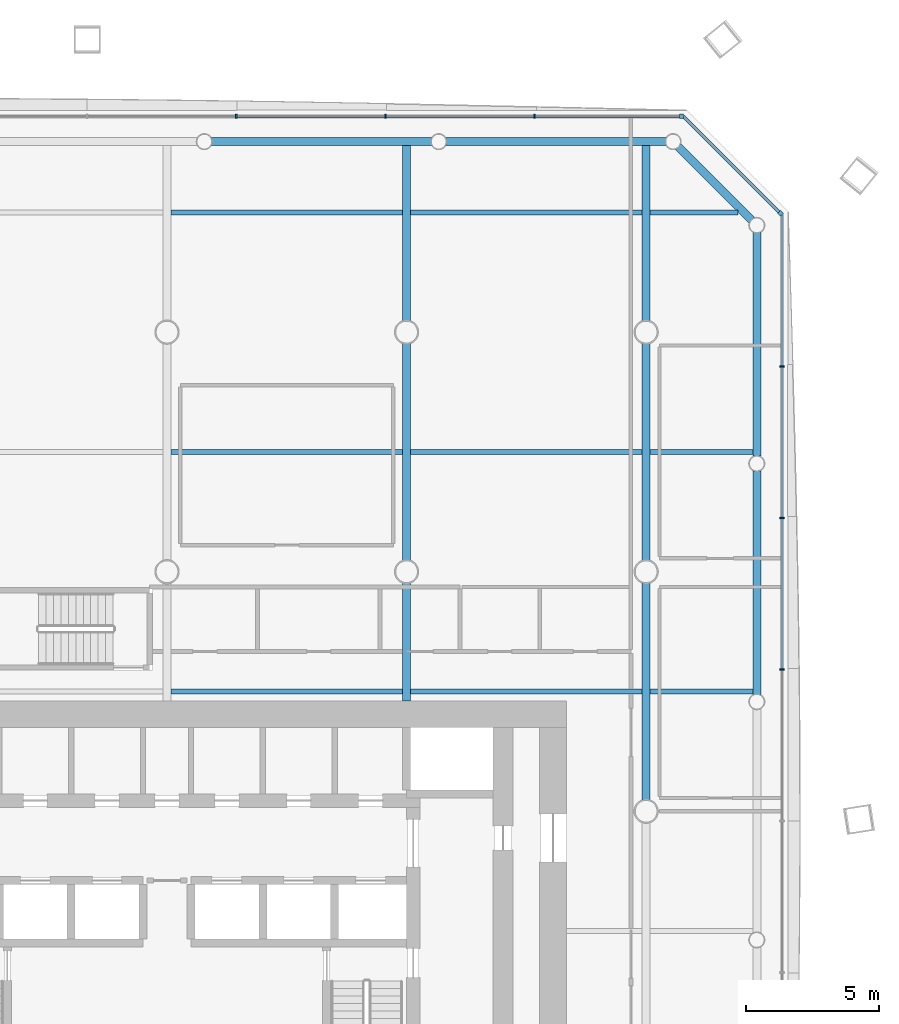
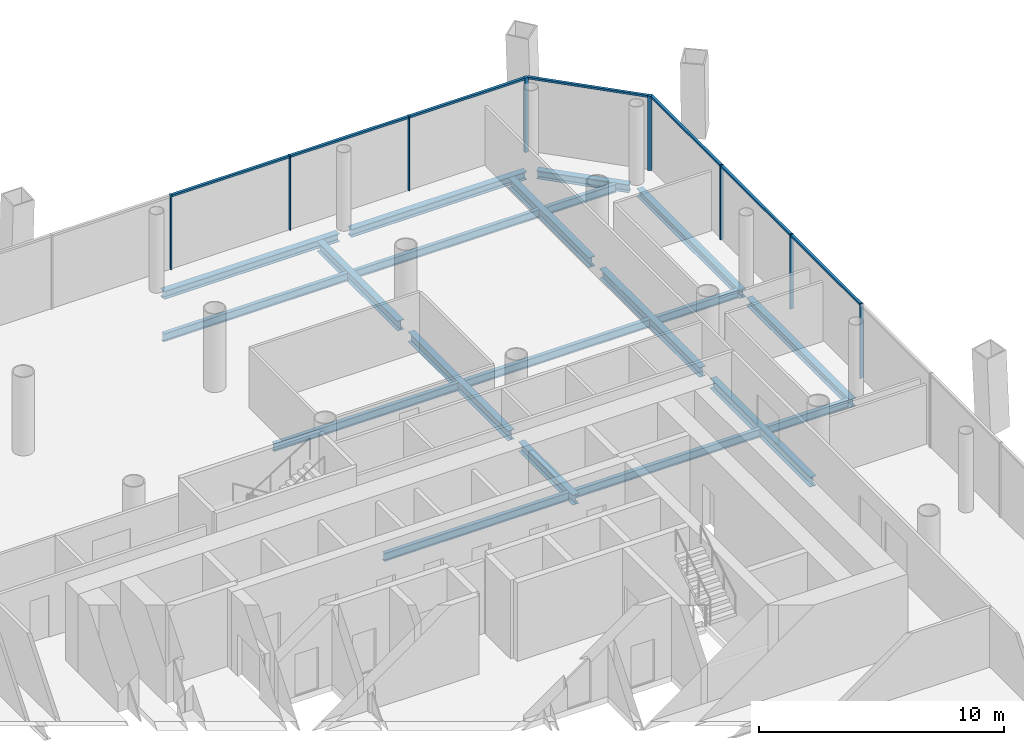
# One storey, part 10 of 20: 20 beams, 15 members, 3 elements without a shape of their own.
"""IFC4 building model written with IfcOpenShell, lengths in metres."""

from ifc_helpers import new_model, si_unit, direction, frame, origin, origin_2d, place, context, subcontext, project, spatial, rectangle, i_section, extrude, material, material_profile, profile_set, type_object, element, aggregate, save


model = new_model("IFC4")

# Units and contexts
model_context = context("Model", 3, precision=1e-05, world=origin(), true_north=direction((0.0, 1.0)))
body_context = subcontext(model_context, "Body", "Model", "MODEL_VIEW")
ifc_project = project(units=[si_unit("LENGTHUNIT", "METRE"), si_unit("AREAUNIT", "SQUARE_METRE"), si_unit("VOLUMEUNIT", "CUBIC_METRE"), si_unit("PLANEANGLEUNIT", "RADIAN"), si_unit("MASSUNIT", "GRAM", prefix="KILO")], contexts=[model_context])

# Site, building, storey
site_placement = place(None, origin())
site = spatial("IfcSite", under=ifc_project, at=site_placement, CompositionType="ELEMENT")
building_placement = place(site_placement, origin())
building = spatial("IfcBuilding", under=site, at=building_placement, Name="Tskaro Facet Tower", CompositionType="ELEMENT")
storey_placement = place(building_placement, frame((0.0, 0.0, 49.800048828125)))
storey = spatial("IfcBuildingStorey", under=building, at=storey_placement, Name="L11", CompositionType="ELEMENT", Elevation=49.800048828125)

# Curtain wall, member
ifc_material_1 = material(Name="Bronze anodised aluminium 6063-T6", Category="aluminium")
curtain_wall_type = type_object("IfcCurtainWallType", Name="Bronze office curtain wall (FW1)", PredefinedType="NOTDEFINED", material=ifc_material_1)
curtain_wall_1_placement = place(storey_placement, origin())
curtain_wall_1 = element("IfcCurtainWall", 1, at=curtain_wall_1_placement, inside=storey, type_object=curtain_wall_type, Name="FW1 north-east facet L11", PredefinedType="NOTDEFINED")
ifc_material_profile_1 = material_profile(ifc_material_1, rectangle(XDim=0.159912109375, YDim=0.159912109375, at=origin_2d()), Name="Corner post 160x160")
ifc_profile_set_1 = profile_set([ifc_material_profile_1], Name="Bronze anodised aluminium 6063-T6")
member_type_1 = type_object("IfcMemberType", Name="FW1 bronze corner post 160x160", PredefinedType="MULLION", material=ifc_profile_set_1)
member_1_placement = place(storey_placement, frame((23.050537109375, 22.461669921875, 0.0), z_axis=(0.0, 0.0, 1.0), x_axis=(-0.707106781187, 0.707106781187, 0.0)))
member_1 = element("IfcMember", 2, at=member_1_placement, type_object=member_type_1, Name="FW1 north-east corner post", PredefinedType="MULLION", context=body_context, shape_type="SweptSolid", body=[
    extrude(rectangle(XDim=0.159912109375, YDim=0.159912109375, at=origin_2d()), origin(), (0.0, 0.0, 1.0), 3.699951171875),
])

curtain_wall_2_placement = place(storey_placement, origin())
curtain_wall_2 = element("IfcCurtainWall", 3, at=curtain_wall_2_placement, inside=storey, type_object=curtain_wall_type, Name="FW1 north facet L11", PredefinedType="NOTDEFINED")
member_2_placement = place(storey_placement, frame((19.324951171875, 26.10693359375, 0.0), z_axis=(0.0, 0.0, 1.0), x_axis=(-1.0, 0.0, 0.0)))
member_2 = element("IfcMember", 4, at=member_2_placement, type_object=member_type_1, Name="FW1 north corner post", PredefinedType="MULLION", context=body_context, shape_type="SweptSolid", body=[
    extrude(rectangle(XDim=0.159912109375, YDim=0.159912109375, at=origin_2d()), origin(), (0.0, 0.0, 1.0), 3.699951171875),
])

# Curtain wall, members
curtain_wall_3_placement = place(storey_placement, origin())
curtain_wall_3 = element("IfcCurtainWall", 5, at=curtain_wall_3_placement, inside=storey, type_object=curtain_wall_type, Name="FW1 east facet L11", PredefinedType="NOTDEFINED")
ifc_material_profile_2 = material_profile(ifc_material_1, rectangle(XDim=0.06005859375, YDim=0.159912109375, at=origin_2d()), Name="Mullion 60x160")
ifc_profile_set_2 = profile_set([ifc_material_profile_2], Name="Bronze anodised aluminium 6063-T6")
member_type_2 = type_object("IfcMemberType", Name="FW1 bronze mullion 60x160", PredefinedType="MULLION", material=ifc_profile_set_2)
member_3_placement = place(storey_placement, frame((23.10693359375, 5.332275390625, 0.0), z_axis=(0.0, 0.0, 1.0), x_axis=(0.0, 1.0, 0.0)))
member_3 = element("IfcMember", 6, at=member_3_placement, type_object=member_type_2, Name="FW1 east mullion 5", PredefinedType="MULLION", context=body_context, shape_type="SweptSolid", body=[
    extrude(rectangle(XDim=0.06005859375, YDim=0.159912109375, at=origin_2d()), origin(), (0.0, 0.0, 1.0), 3.699951171875),
])
member_4_placement = place(storey_placement, frame((23.10693359375, 11.023193359375, 0.0), z_axis=(0.0, 0.0, 1.0), x_axis=(0.0, 1.0, 0.0)))
member_4 = element("IfcMember", 7, at=member_4_placement, type_object=member_type_2, Name="FW1 east mullion 6", PredefinedType="MULLION", context=body_context, shape_type="SweptSolid", body=[
    extrude(rectangle(XDim=0.06005859375, YDim=0.159912109375, at=origin_2d()), origin(), (0.0, 0.0, 1.0), 3.699951171875),
])
member_5_placement = place(storey_placement, frame((23.10693359375, 16.714111328125, 0.0), z_axis=(0.0, 0.0, 1.0), x_axis=(0.0, 1.0, 0.0)))
member_5 = element("IfcMember", 8, at=member_5_placement, type_object=member_type_2, Name="FW1 east mullion 7", PredefinedType="MULLION", context=body_context, shape_type="SweptSolid", body=[
    extrude(rectangle(XDim=0.06005859375, YDim=0.159912109375, at=origin_2d()), origin(), (0.0, 0.0, 1.0), 3.699951171875),
])

# Member
member_6_placement = place(storey_placement, frame((13.8037109375, 26.10693359375, 0.0), z_axis=(0.0, 0.0, 1.0), x_axis=(-1.0, 0.0, 0.0)))
member_6 = element("IfcMember", 9, at=member_6_placement, type_object=member_type_2, Name="FW1 north mullion 1", PredefinedType="MULLION", context=body_context, shape_type="SweptSolid", body=[
    extrude(rectangle(XDim=0.06005859375, YDim=0.159912109375, at=origin_2d()), origin(), (0.0, 0.0, 1.0), 3.699951171875),
])

member_7_placement = place(storey_placement, frame((8.202392578125, 26.10693359375, 0.0), z_axis=(0.0, 0.0, 1.0), x_axis=(-1.0, 0.0, 0.0)))
member_7 = element("IfcMember", 10, at=member_7_placement, type_object=member_type_2, Name="FW1 north mullion 2", PredefinedType="MULLION", context=body_context, shape_type="SweptSolid", body=[
    extrude(rectangle(XDim=0.06005859375, YDim=0.159912109375, at=origin_2d()), origin(), (0.0, 0.0, 1.0), 3.699951171875),
])

member_8_placement = place(storey_placement, frame((2.601318359375, 26.10693359375, 0.0), z_axis=(0.0, 0.0, 1.0), x_axis=(-1.0, 0.0, 0.0)))
member_8 = element("IfcMember", 11, at=member_8_placement, type_object=member_type_2, Name="FW1 north mullion 3", PredefinedType="MULLION", context=body_context, shape_type="SweptSolid", body=[
    extrude(rectangle(XDim=0.06005859375, YDim=0.159912109375, at=origin_2d()), origin(), (0.0, 0.0, 1.0), 3.699951171875),
])

ifc_material_profile_3 = material_profile(ifc_material_1, rectangle(XDim=0.1201171875, YDim=0.10009765625, at=origin_2d()), Name="Transom 120x100")
ifc_profile_set_3 = profile_set([ifc_material_profile_3], Name="Bronze anodised aluminium 6063-T6")
member_type_3 = type_object("IfcMemberType", Name="FW1 bronze transom 120x100", PredefinedType="USERDEFINED", material=ifc_profile_set_3)
member_9_placement = place(storey_placement, frame((23.10693359375, 5.3623046875, 3.64990234375), z_axis=(0.0, 1.0, 0.0), x_axis=(-1.0, 0.0, 0.0)))
member_9 = element("IfcMember", 12, at=member_9_placement, type_object=member_type_3, Name="FW1 east transom 6.1", ObjectType="TRANSOM", PredefinedType="USERDEFINED", context=body_context, shape_type="SweptSolid", body=[
    extrude(rectangle(XDim=0.1201171875, YDim=0.10009765625, at=origin_2d()), origin(), (0.0, 0.0, 1.0), 5.630859375),
])

member_10_placement = place(storey_placement, frame((23.10693359375, 11.05322265625, 3.64990234375), z_axis=(0.0, 1.0, 0.0), x_axis=(-1.0, 0.0, 0.0)))
member_10 = element("IfcMember", 13, at=member_10_placement, type_object=member_type_3, Name="FW1 east transom 7.1", ObjectType="TRANSOM", PredefinedType="USERDEFINED", context=body_context, shape_type="SweptSolid", body=[
    extrude(rectangle(XDim=0.1201171875, YDim=0.10009765625, at=origin_2d()), origin(), (0.0, 0.0, 1.0), 5.630859375),
])

member_11_placement = place(storey_placement, frame((23.10693359375, 16.744140625, 3.64990234375), z_axis=(0.0, 1.0, 0.0), x_axis=(-1.0, 0.0, 0.0)))
member_11 = element("IfcMember", 14, at=member_11_placement, type_object=member_type_3, Name="FW1 east transom 8.1", ObjectType="TRANSOM", PredefinedType="USERDEFINED", context=body_context, shape_type="SweptSolid", body=[
    extrude(rectangle(XDim=0.1201171875, YDim=0.10009765625, at=origin_2d()), origin(), (0.0, 0.0, 1.0), 5.660888671875),
])

aggregate(curtain_wall_3, [member_3, member_4, member_5, member_9, member_10, member_11])

member_12_placement = place(storey_placement, frame((22.993896484375, 22.51806640625, 3.64990234375), z_axis=(-0.707106781187, 0.707106781187, 0.0), x_axis=(-0.707106781187, -0.707106781187, 0.0)))
member_12 = element("IfcMember", 15, at=member_12_placement, type_object=member_type_3, Name="FW1 north-east transom 1.1", ObjectType="TRANSOM", PredefinedType="USERDEFINED", context=body_context, shape_type="SweptSolid", body=[
    extrude(rectangle(XDim=0.1201171875, YDim=0.10009765625, at=origin_2d()), origin(), (0.0, 0.0, 1.0), 5.075439453125),
])

aggregate(curtain_wall_1, [member_1, member_12])

member_13_placement = place(storey_placement, frame((19.2451171875, 26.10693359375, 3.64990234375), z_axis=(-1.0, 0.0, 0.0), x_axis=(0.0, -1.0, 0.0)))
member_13 = element("IfcMember", 16, at=member_13_placement, type_object=member_type_3, Name="FW1 north transom 1.1", ObjectType="TRANSOM", PredefinedType="USERDEFINED", context=body_context, shape_type="SweptSolid", body=[
    extrude(rectangle(XDim=0.1201171875, YDim=0.10009765625, at=origin_2d()), origin(), (0.0, 0.0, 1.0), 5.411376953125),
])

member_14_placement = place(storey_placement, frame((13.773681640625, 26.10693359375, 3.64990234375), z_axis=(-1.0, 0.0, 0.0), x_axis=(0.0, -1.0, 0.0)))
member_14 = element("IfcMember", 17, at=member_14_placement, type_object=member_type_3, Name="FW1 north transom 2.1", ObjectType="TRANSOM", PredefinedType="USERDEFINED", context=body_context, shape_type="SweptSolid", body=[
    extrude(rectangle(XDim=0.1201171875, YDim=0.10009765625, at=origin_2d()), origin(), (0.0, 0.0, 1.0), 5.541259765625),
])

member_15_placement = place(storey_placement, frame((8.172607421875, 26.10693359375, 3.64990234375), z_axis=(-1.0, 0.0, 0.0), x_axis=(0.0, -1.0, 0.0)))
member_15 = element("IfcMember", 18, at=member_15_placement, type_object=member_type_3, Name="FW1 north transom 3.1", ObjectType="TRANSOM", PredefinedType="USERDEFINED", context=body_context, shape_type="SweptSolid", body=[
    extrude(rectangle(XDim=0.1201171875, YDim=0.10009765625, at=origin_2d()), origin(), (0.0, 0.0, 1.0), 5.541259765625),
])

aggregate(curtain_wall_2, [member_2, member_6, member_7, member_8, member_13, member_14, member_15])

# Beams
ifc_material_2 = material(Name="Steel S355J2", Category="steel")
ifc_material_profile_4 = material_profile(ifc_material_2, i_section(OverallWidth=0.300048828125, OverallDepth=0.39990234375, WebThickness=0.013427734375, FlangeThickness=0.02392578125, FilletRadius=0.027099609375, at=origin_2d()), Name="HE 400 B")
ifc_profile_set_4 = profile_set([ifc_material_profile_4], Name="Steel S355J2")
beam_type_1 = type_object("IfcBeamType", Name="HE 400 B ring beam", PredefinedType="BEAM", material=ifc_profile_set_4)
for number, where, z_axis, x_axis, name in (
    (19, (22.156982421875, 4.39111328125, -0.340087890625), (0.0, 1.0, 0.0), (-1.0, 0.0, 0.0), "HE 400 B EB11-1"),
    (20, (22.156982421875, 13.339111328125, -0.340087890625), (0.0, 1.0, 0.0), (-1.0, 0.0, 0.0), "HE 400 B EB12-1"),
):
    element("IfcBeam", number, at=place(storey_placement, frame(where, z_axis=z_axis, x_axis=x_axis)), inside=storey, type_object=beam_type_1, Name=name, PredefinedType="BEAM", context=body_context, shape_type="SweptSolid", body=[
        extrude(i_section(OverallWidth=0.300048828125, OverallDepth=0.39990234375, WebThickness=0.013427734375, FlangeThickness=0.02392578125, FilletRadius=0.027099609375, at=origin_2d()), origin(), (0.0, 0.0, 1.0), 8.39794921875),
    ])
beam_1_placement = place(storey_placement, frame((21.962646484375, 22.20654296875, -0.340087890625), z_axis=(-0.707106781187, 0.707106781187, 0.0), x_axis=(-0.707106781187, -0.707106781187, 0.0)))
element("IfcBeam", 21, at=beam_1_placement, inside=storey, type_object=beam_type_1, Name="HE 400 B EB13-1", PredefinedType="BEAM", context=body_context, shape_type="SweptSolid", body=[
    extrude(i_section(OverallWidth=0.300048828125, OverallDepth=0.39990234375, WebThickness=0.013427734375, FlangeThickness=0.02392578125, FilletRadius=0.027099609375, at=origin_2d()), origin(), (0.0, 0.0, 1.0), 3.897705078125),
])
beam_2_placement = place(storey_placement, frame((18.737060546875, 25.156982421875, -0.340087890625), z_axis=(-1.0, 0.0, 0.0), x_axis=(0.0, -1.0, 0.0)))
element("IfcBeam", 22, at=beam_2_placement, inside=storey, type_object=beam_type_1, Name="HE 400 B EB14-1", PredefinedType="BEAM", context=body_context, shape_type="SweptSolid", body=[
    extrude(i_section(OverallWidth=0.300048828125, OverallDepth=0.39990234375, WebThickness=0.013427734375, FlangeThickness=0.02392578125, FilletRadius=0.027099609375, at=origin_2d()), origin(), (0.0, 0.0, 1.0), 8.255126953125),
])
beam_3_placement = place(storey_placement, frame((9.931884765625, 25.156982421875, -0.340087890625), z_axis=(-1.0, 0.0, 0.0), x_axis=(0.0, -1.0, 0.0)))
element("IfcBeam", 23, at=beam_3_placement, inside=storey, type_object=beam_type_1, Name="HE 400 B EB15-1", PredefinedType="BEAM", context=body_context, shape_type="SweptSolid", body=[
    extrude(i_section(OverallWidth=0.300048828125, OverallDepth=0.39990234375, WebThickness=0.013427734375, FlangeThickness=0.02392578125, FilletRadius=0.027099609375, at=origin_2d()), origin(), (0.0, 0.0, 1.0), 8.2548828125),
])
ifc_material_profile_5 = material_profile(ifc_material_2, i_section(OverallWidth=0.300048828125, OverallDepth=0.489990234375, WebThickness=0.011962890625, FlangeThickness=0.02294921875, FilletRadius=0.027099609375, at=origin_2d()), Name="HE 500 A")
ifc_profile_set_5 = profile_set([ifc_material_profile_5], Name="Steel S355J2")
beam_type_2 = type_object("IfcBeamType", Name="HE 500 A girder", PredefinedType="BEAM", material=ifc_profile_set_5)
beam_4_placement = place(storey_placement, frame((9.0, 4.14990234375, -0.385009765625), z_axis=(0.0, 1.0, 0.0), x_axis=(-1.0, 0.0, 0.0)))
element("IfcBeam", 24, at=beam_4_placement, inside=storey, type_object=beam_type_2, Name="HE 500 A GB5-3-1", PredefinedType="BEAM", context=body_context, shape_type="SweptSolid", body=[
    extrude(i_section(OverallWidth=0.300048828125, OverallDepth=0.489990234375, WebThickness=0.011962890625, FlangeThickness=0.02294921875, FilletRadius=0.027099609375, at=origin_2d()), origin(), (0.0, 0.0, 1.0), 4.4228515625),
])
beam_5_placement = place(storey_placement, frame((9.0, 9.42724609375, -0.385009765625), z_axis=(0.0, 1.0, 0.0), x_axis=(-1.0, 0.0, 0.0)))
element("IfcBeam", 25, at=beam_5_placement, inside=storey, type_object=beam_type_2, Name="HE 500 A GB5-4-1", PredefinedType="BEAM", context=body_context, shape_type="SweptSolid", body=[
    extrude(i_section(OverallWidth=0.300048828125, OverallDepth=0.489990234375, WebThickness=0.011962890625, FlangeThickness=0.02294921875, FilletRadius=0.027099609375, at=origin_2d()), origin(), (0.0, 0.0, 1.0), 8.1455078125),
])
beam_6_placement = place(storey_placement, frame((9.0, 18.42724609375, -0.385009765625), z_axis=(0.0, 1.0, 0.0), x_axis=(-1.0, 0.0, 0.0)))
element("IfcBeam", 26, at=beam_6_placement, inside=storey, type_object=beam_type_2, Name="HE 500 A GB5-5-1", PredefinedType="BEAM", context=body_context, shape_type="SweptSolid", body=[
    extrude(i_section(OverallWidth=0.300048828125, OverallDepth=0.489990234375, WebThickness=0.011962890625, FlangeThickness=0.02294921875, FilletRadius=0.027099609375, at=origin_2d()), origin(), (0.0, 0.0, 1.0), 6.579833984375),
])
for number, where, z_axis, x_axis, name in (
    (27, (18.0, 0.42724609375, -0.385009765625), (0.0, 1.0, 0.0), (-1.0, 0.0, 0.0), "HE 500 A GB6-4-1"),
    (28, (18.0, 9.42724609375, -0.385009765625), (0.0, 1.0, 0.0), (-1.0, 0.0, 0.0), "HE 500 A GB6-5-1"),
):
    element("IfcBeam", number, at=place(storey_placement, frame(where, z_axis=z_axis, x_axis=x_axis)), inside=storey, type_object=beam_type_2, Name=name, PredefinedType="BEAM", context=body_context, shape_type="SweptSolid", body=[
        extrude(i_section(OverallWidth=0.300048828125, OverallDepth=0.489990234375, WebThickness=0.011962890625, FlangeThickness=0.02294921875, FilletRadius=0.027099609375, at=origin_2d()), origin(), (0.0, 0.0, 1.0), 8.1455078125),
    ])
beam_7_placement = place(storey_placement, frame((18.0, 18.42724609375, -0.385009765625), z_axis=(0.0, 1.0, 0.0), x_axis=(-1.0, 0.0, 0.0)))
element("IfcBeam", 29, at=beam_7_placement, inside=storey, type_object=beam_type_2, Name="HE 500 A GB6-6-1", PredefinedType="BEAM", context=body_context, shape_type="SweptSolid", body=[
    extrude(i_section(OverallWidth=0.300048828125, OverallDepth=0.489990234375, WebThickness=0.011962890625, FlangeThickness=0.02294921875, FilletRadius=0.027099609375, at=origin_2d()), origin(), (0.0, 0.0, 1.0), 6.579833984375),
])
ifc_material_profile_6 = material_profile(ifc_material_2, i_section(OverallWidth=0.179931640625, OverallDepth=0.39990234375, WebThickness=0.008544921875, FlangeThickness=0.013427734375, FilletRadius=0.02099609375, at=origin_2d()), Name="IPE 400")
ifc_profile_set_6 = profile_set([ifc_material_profile_6], Name="Steel S355J2")
beam_type_3 = type_object("IfcBeamType", Name="IPE 400 secondary beam", PredefinedType="BEAM", material=ifc_profile_set_6)
for number, where, z_axis, x_axis, name in (
    (30, (0.14990234375, 4.5, -0.340087890625), (1.0, 0.0, 0.0), (0.0, 1.0, 0.0), "IPE 400 SB4a-4-1"),
    (31, (9.14990234375, 4.5, -0.340087890625), (1.0, 0.0, 0.0), (0.0, 1.0, 0.0), "IPE 400 SB4a-5-1"),
):
    element("IfcBeam", number, at=place(storey_placement, frame(where, z_axis=z_axis, x_axis=x_axis)), inside=storey, type_object=beam_type_3, Name=name, PredefinedType="BEAM", context=body_context, shape_type="SweptSolid", body=[
        extrude(i_section(OverallWidth=0.179931640625, OverallDepth=0.39990234375, WebThickness=0.008544921875, FlangeThickness=0.013427734375, FilletRadius=0.02099609375, at=origin_2d()), origin(), (0.0, 0.0, 1.0), 8.7001953125),
    ])
beam_8_placement = place(storey_placement, frame((18.14990234375, 4.5, -0.340087890625), z_axis=(1.0, 0.0, 0.0), x_axis=(0.0, 1.0, 0.0)))
element("IfcBeam", 32, at=beam_8_placement, inside=storey, type_object=beam_type_3, Name="IPE 400 SB4a-6-1", PredefinedType="BEAM", context=body_context, shape_type="SweptSolid", body=[
    extrude(i_section(OverallWidth=0.179931640625, OverallDepth=0.39990234375, WebThickness=0.008544921875, FlangeThickness=0.013427734375, FilletRadius=0.02099609375, at=origin_2d()), origin(), (0.0, 0.0, 1.0), 3.857177734375),
])
for number, where, z_axis, x_axis, name in (
    (33, (0.14990234375, 13.5, -0.340087890625), (1.0, 0.0, 0.0), (0.0, 1.0, 0.0), "IPE 400 SB5a-4-1"),
    (34, (9.14990234375, 13.5, -0.340087890625), (1.0, 0.0, 0.0), (0.0, 1.0, 0.0), "IPE 400 SB5a-5-1"),
):
    element("IfcBeam", number, at=place(storey_placement, frame(where, z_axis=z_axis, x_axis=x_axis)), inside=storey, type_object=beam_type_3, Name=name, PredefinedType="BEAM", context=body_context, shape_type="SweptSolid", body=[
        extrude(i_section(OverallWidth=0.179931640625, OverallDepth=0.39990234375, WebThickness=0.008544921875, FlangeThickness=0.013427734375, FilletRadius=0.02099609375, at=origin_2d()), origin(), (0.0, 0.0, 1.0), 8.7001953125),
    ])
beam_9_placement = place(storey_placement, frame((18.14990234375, 13.5, -0.340087890625), z_axis=(1.0, 0.0, 0.0), x_axis=(0.0, 1.0, 0.0)))
element("IfcBeam", 35, at=beam_9_placement, inside=storey, type_object=beam_type_3, Name="IPE 400 SB5a-6-1", PredefinedType="BEAM", context=body_context, shape_type="SweptSolid", body=[
    extrude(i_section(OverallWidth=0.179931640625, OverallDepth=0.39990234375, WebThickness=0.008544921875, FlangeThickness=0.013427734375, FilletRadius=0.02099609375, at=origin_2d()), origin(), (0.0, 0.0, 1.0), 3.857177734375),
])
for number, where, z_axis, x_axis, name in (
    (36, (0.14990234375, 22.5, -0.340087890625), (1.0, 0.0, 0.0), (0.0, 1.0, 0.0), "IPE 400 SB6a-4-1"),
    (37, (9.14990234375, 22.5, -0.340087890625), (1.0, 0.0, 0.0), (0.0, 1.0, 0.0), "IPE 400 SB6a-5-1"),
):
    element("IfcBeam", number, at=place(storey_placement, frame(where, z_axis=z_axis, x_axis=x_axis)), inside=storey, type_object=beam_type_3, Name=name, PredefinedType="BEAM", context=body_context, shape_type="SweptSolid", body=[
        extrude(i_section(OverallWidth=0.179931640625, OverallDepth=0.39990234375, WebThickness=0.008544921875, FlangeThickness=0.013427734375, FilletRadius=0.02099609375, at=origin_2d()), origin(), (0.0, 0.0, 1.0), 8.7001953125),
    ])
beam_10_placement = place(storey_placement, frame((18.14990234375, 22.5, -0.340087890625), z_axis=(1.0, 0.0, 0.0), x_axis=(0.0, 1.0, 0.0)))
element("IfcBeam", 38, at=beam_10_placement, inside=storey, type_object=beam_type_3, Name="IPE 400 SB6a-6-1", PredefinedType="BEAM", context=body_context, shape_type="SweptSolid", body=[
    extrude(i_section(OverallWidth=0.179931640625, OverallDepth=0.39990234375, WebThickness=0.008544921875, FlangeThickness=0.013427734375, FilletRadius=0.02099609375, at=origin_2d()), origin(), (0.0, 0.0, 1.0), 3.30712890625),
])

save(model, "model.ifc")
